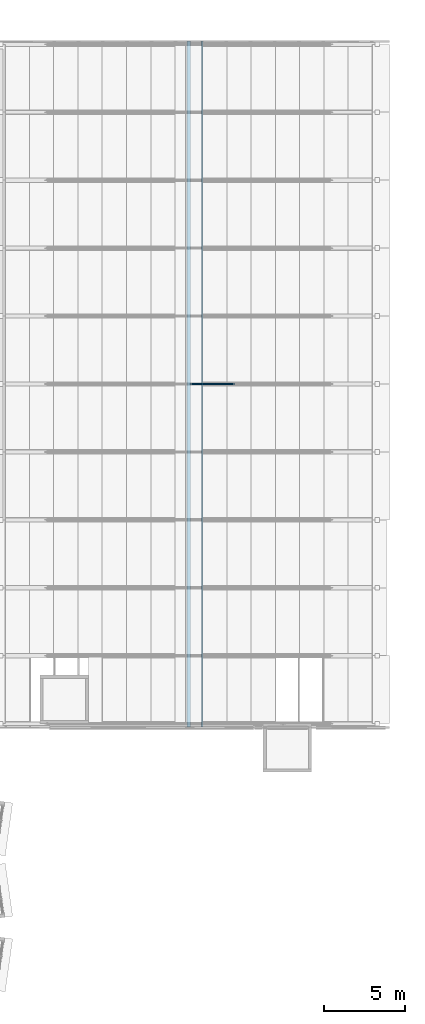
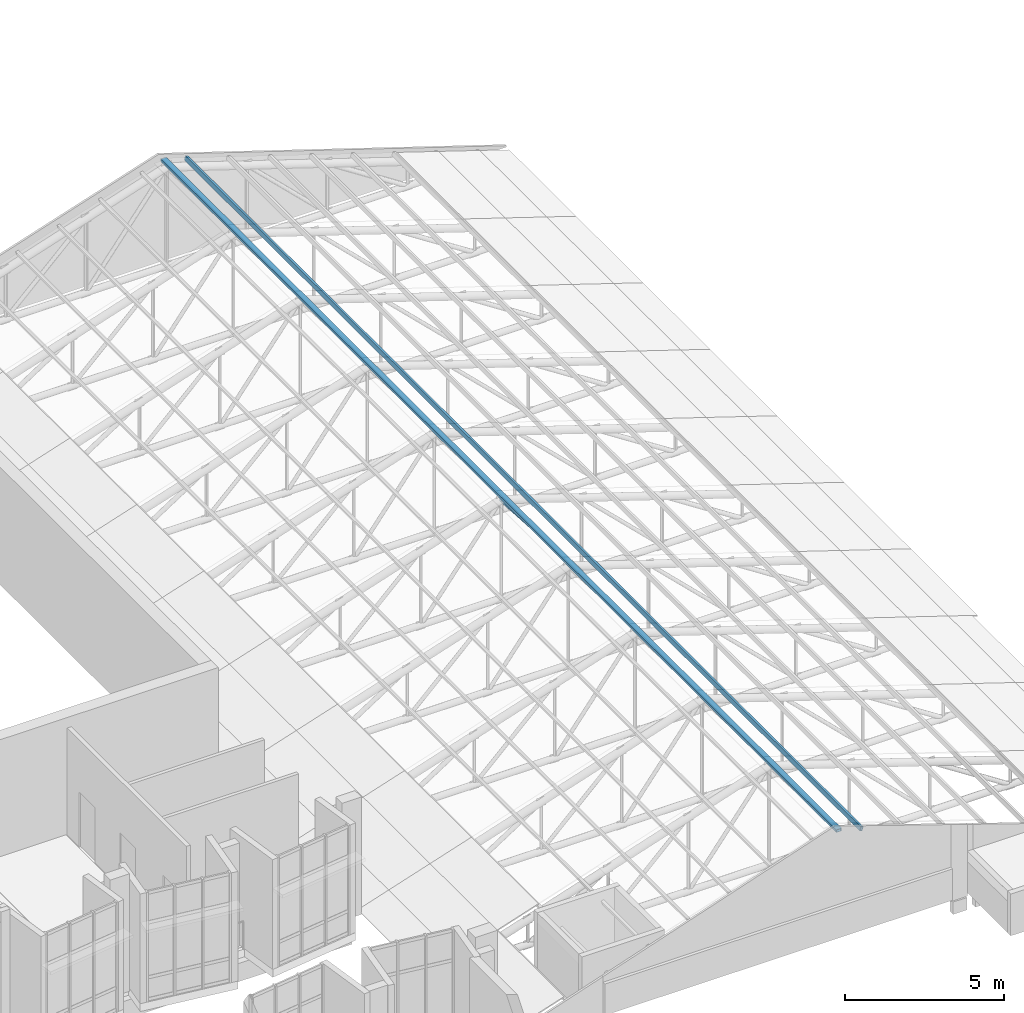
# One storey, part 28 of 95: 3 members.
"""IFC4 building model written with IfcOpenShell, lengths in metres."""

from ifc_helpers import new_model, si_unit, direction, frame, origin, origin_2d, place, context, subcontext, project, spatial, hollow_rectangle, hollow_circle, extrude, material, material_profile, profile_set, type_object, element, save


model = new_model("IFC4")

# Units and contexts
model_context = context("Model", 3, precision=1e-05, world=origin(), true_north=direction((0.0, 1.0)))
body_context = subcontext(model_context, "Body", "Model", "MODEL_VIEW")
ifc_project = project(units=[si_unit("LENGTHUNIT", "METRE"), si_unit("AREAUNIT", "SQUARE_METRE"), si_unit("VOLUMEUNIT", "CUBIC_METRE"), si_unit("PLANEANGLEUNIT", "RADIAN"), si_unit("MASSUNIT", "GRAM", prefix="KILO")], contexts=[model_context])

# Site, building, storey
site_placement = place(None, origin())
site = spatial("IfcSite", under=ifc_project, at=site_placement, CompositionType="ELEMENT")
building_placement = place(site_placement, origin())
building = spatial("IfcBuilding", under=site, at=building_placement, Name="Kiln Court Media Centre", CompositionType="ELEMENT")
storey_placement = place(building_placement, frame((0.0, 0.0, 24.60009765625)))
storey = spatial("IfcBuildingStorey", under=building, at=storey_placement, Name="L05", CompositionType="ELEMENT", Elevation=24.60009765625)

# Members
ifc_material_1 = material(Name="Steel ASTM A500 Gr C", Category="steel")
ifc_material_profile_1 = material_profile(ifc_material_1, hollow_circle(Radius=0.06982421875, WallThickness=0.0048828125, at=origin_2d()), Name="CHS 139.7x5.0")
ifc_profile_set_1 = profile_set([ifc_material_profile_1], Name="Steel ASTM A500 Gr C")
member_type_1 = type_object("IfcMemberType", Name="Steel ASTM A500 Gr C CHS 139.7x5.0 truss web", PredefinedType="BRACE", material=ifc_profile_set_1)
member_1_placement = place(storey_placement, frame((46.39990234375, 46.199951171875, 3.771484375), z_axis=(0.609809567012, 0.0, -0.792547974561), x_axis=(0.0, 1.0, 0.0)))
element("IfcMember", 1, at=member_1_placement, inside=storey, type_object=member_type_1, Name="foyer truss FT-06 diagonal 5 truss web", PredefinedType="BRACE", context=body_context, shape_type="SweptSolid", body=[
    extrude(hollow_circle(Radius=0.06982421875, WallThickness=0.0048828125, at=origin_2d()), origin(), (0.0, 0.0, 1.0), 4.776123046875),
])
ifc_material_2 = material(Name="Steel ASTM A500 Gr C", Category="steel")
ifc_material_profile_2 = material_profile(ifc_material_2, hollow_rectangle(XDim=0.10009765625, YDim=0.14990234375, WallThickness=0.008056640625, at=origin_2d()), Name="RHS 150x100x8.0")
ifc_profile_set_2 = profile_set([ifc_material_profile_2], Name="Steel ASTM A500 Gr C")
member_type_2 = type_object("IfcMemberType", Name="Steel ASTM A500 Gr C RHS 150x100x8.0 roof purlin", PredefinedType="PURLIN", material=ifc_profile_set_2)
member_2_placement = place(storey_placement, frame((47.214599609375, 25.005615234375, 3.72705078125), z_axis=(0.0, 1.0, 0.0), x_axis=(-0.951056516295, 0.0, 0.309016994375)))
element("IfcMember", 2, at=member_2_placement, inside=storey, type_object=member_type_2, Name="foyer roof east purlin 8 roof purlin", PredefinedType="PURLIN", context=body_context, shape_type="SweptSolid", body=[
    extrude(hollow_rectangle(XDim=0.10009765625, YDim=0.14990234375, WallThickness=0.008056640625, at=origin_2d()), origin(), (0.0, 0.0, 1.0), 42.388916015625),
])
ifc_material_3 = material(Name="Steel ASTM A500 Gr C", Category="steel")
ifc_material_profile_3 = material_profile(ifc_material_3, hollow_rectangle(XDim=0.10009765625, YDim=0.199951171875, WallThickness=0.008056640625, at=origin_2d()), Name="RHS 200x100x8.0")
ifc_profile_set_3 = profile_set([ifc_material_profile_3], Name="Steel ASTM A500 Gr C")
member_type_3 = type_object("IfcMemberType", Name="Steel ASTM A500 Gr C RHS 200x100x8.0 roof purlin", PredefinedType="PURLIN", material=ifc_profile_set_3)
member_3_placement = place(storey_placement, frame((46.39990234375, 25.005615234375, 3.94921875), z_axis=(0.0, 1.0, 0.0), x_axis=(0.0, 0.0, 1.0)))
element("IfcMember", 3, at=member_3_placement, inside=storey, type_object=member_type_3, Name="foyer roof ridge purlin roof purlin", PredefinedType="PURLIN", context=body_context, shape_type="SweptSolid", body=[
    extrude(hollow_rectangle(XDim=0.10009765625, YDim=0.199951171875, WallThickness=0.008056640625, at=origin_2d()), origin(), (0.0, 0.0, 1.0), 42.388916015625),
])

save(model, "model.ifc")
